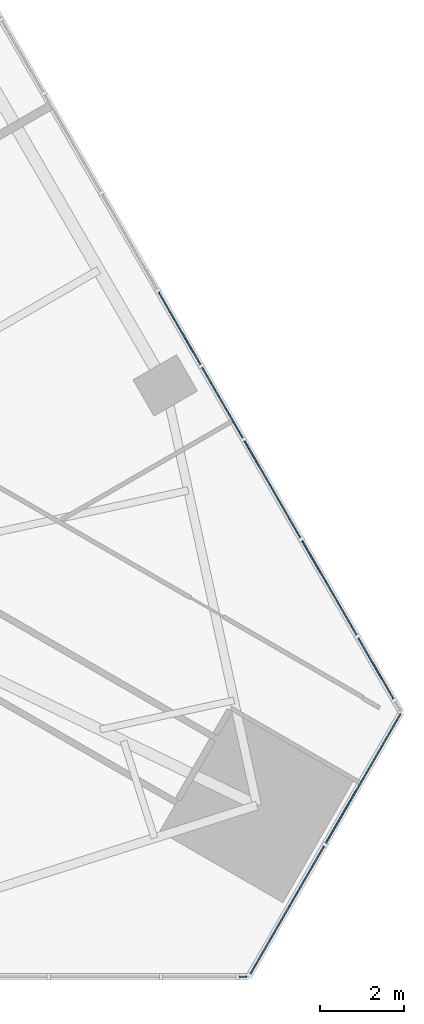
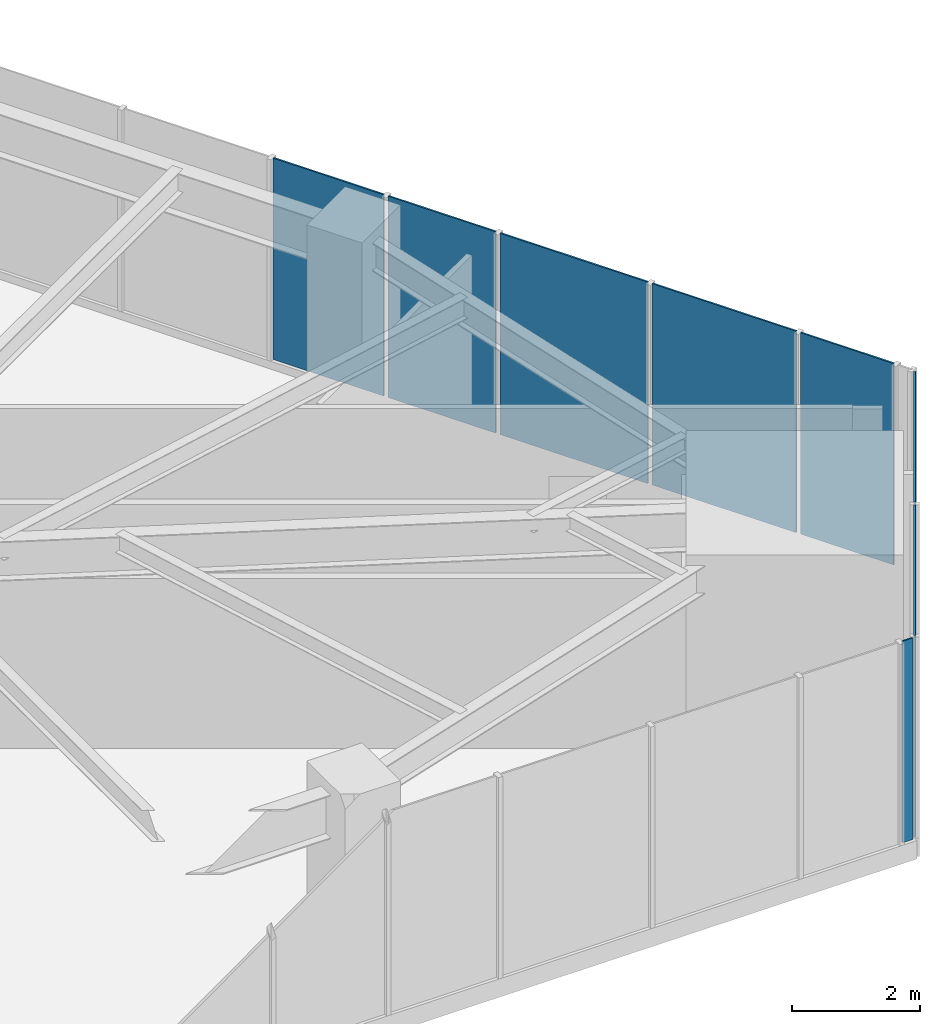
# One storey, part 15 of 26: 8 plates, 3 elements without a shape of their own.
"""IFC4 building model written with IfcOpenShell, lengths in metres."""

from ifc_helpers import new_model, si_unit, direction, frame, origin, place, context, subcontext, project, spatial, polyline, outline, extrude, material, layer, layer_set, type_object, element, aggregate, save


model = new_model("IFC4")

# Units and contexts
model_context = context("Model", 3, precision=1e-05, world=origin(), true_north=direction((0.0, 1.0)))
body_context = subcontext(model_context, "Body", "Model", "MODEL_VIEW")
ifc_project = project(units=[si_unit("LENGTHUNIT", "METRE"), si_unit("AREAUNIT", "SQUARE_METRE"), si_unit("VOLUMEUNIT", "CUBIC_METRE"), si_unit("PLANEANGLEUNIT", "RADIAN"), si_unit("MASSUNIT", "GRAM", prefix="KILO")], contexts=[model_context])

# Site, building, storey
site_placement = place(None, origin())
site = spatial("IfcSite", under=ifc_project, at=site_placement, CompositionType="ELEMENT")
building_placement = place(site_placement, origin())
building = spatial("IfcBuilding", under=site, at=building_placement, Name="Firuza Gate Tower and Library", CompositionType="ELEMENT")
storey_placement = place(building_placement, frame((0.0, 0.0, 65.199951171875)))
storey = spatial("IfcBuildingStorey", under=building, at=storey_placement, Name="L14", CompositionType="ELEMENT", Elevation=65.199951171875)

# Curtain wall, plates
ifc_material_1 = material(Name="Aluminium 6063-T6", Category="aluminium")
ifc_layer_1 = layer(ifc_material_1, 0.14990234375)
ifc_layer_set_1 = layer_set([ifc_layer_1], Name="Corner curtain wall, chamfers")
curtain_wall_type_1 = type_object("IfcCurtainWallType", Name="Corner curtain wall, chamfers", PredefinedType="NOTDEFINED", material=ifc_layer_set_1)
placement = place(storey_placement, origin())
curtain_wall_1 = element("IfcCurtainWall", 1, at=placement, inside=storey, type_object=curtain_wall_type_1, Name="CW4 L14 SE corner", PredefinedType="NOTDEFINED")
ifc_material_2 = material(Name="Fritted glass", Category="glass")
ifc_layer_2 = layer(ifc_material_2, 0.030029296875)
ifc_layer_set_2 = layer_set([ifc_layer_2], Name="Fritted glass unit, corners")
plate_type_1 = type_object("IfcPlateType", Name="Fritted glass unit, corners", PredefinedType="CURTAIN_PANEL", material=ifc_layer_set_2)
plate_1_placement = place(storey_placement, frame((103.6796875, 54.281005859375, 0.150146484375), z_axis=(0.866016723041, -0.500015035186, 0.0), x_axis=(0.500015035186, 0.866016723041, 0.0)))
plate_1 = element("IfcPlate", 2, at=plate_1_placement, type_object=plate_type_1, Name="Glass unit", PredefinedType="CURTAIN_PANEL", context=body_context, shape_type="SweptSolid", body=[
    extrude(outline(polyline([(0.0, 0.0), (3.5633694106530625, 0.0), (3.5633694106530625, 3.849853515625), (0.0, 3.849853515625), (0.0, 0.0)])), origin(), (0.0, 0.0, -1.0), 0.030029296875),
])
plate_2_placement = place(storey_placement, frame((105.501220703125, 57.436279296875, 0.150146484375), z_axis=(0.866016723041, -0.500015035186, 0.0), x_axis=(0.500015035186, 0.866016723041, 0.0)))
plate_2 = element("IfcPlate", 3, at=plate_2_placement, type_object=plate_type_1, Name="Glass unit", PredefinedType="CURTAIN_PANEL", context=body_context, shape_type="SweptSolid", body=[
    extrude(outline(polyline([(0.0, 0.0), (3.5633694106530625, 0.0), (3.5633694106530625, 3.849853515625), (0.0, 3.849853515625), (0.0, 0.0)])), origin(), (0.0, 0.0, -1.0), 0.030029296875),
])
aggregate(curtain_wall_1, [plate_1, plate_2])

ifc_material_3 = material(Name="Aluminium 6063-T6", Category="aluminium")
ifc_layer_3 = layer(ifc_material_3, 0.14990234375)
ifc_layer_set_3 = layer_set([ifc_layer_3], Name="Unitised curtain wall, offices")
curtain_wall_type_2 = type_object("IfcCurtainWallType", Name="Unitised curtain wall, offices", PredefinedType="NOTDEFINED", material=ifc_layer_set_3)
curtain_wall_2 = element("IfcCurtainWall", 4, at=placement, inside=storey, type_object=curtain_wall_type_2, Name="CW1 L14 E face", PredefinedType="NOTDEFINED")
ifc_material_4 = material(Name="Fritted glass", Category="glass")
ifc_layer_4 = layer(ifc_material_4, 0.030029296875)
ifc_layer_set_4 = layer_set([ifc_layer_4], Name="Fritted glass unit, offices")
plate_type_2 = type_object("IfcPlateType", Name="Fritted glass unit, offices", PredefinedType="CURTAIN_PANEL", material=ifc_layer_set_4)
plate_3_placement = place(storey_placement, frame((107.117431640625, 60.893310546875, 0.150146484375), z_axis=(0.865992196602, 0.500057512117, 0.0), x_axis=(-0.500057512117, 0.865992196602, 0.0)))
plate_3 = element("IfcPlate", 5, at=plate_3_placement, type_object=plate_type_2, Name="Glass unit", PredefinedType="CURTAIN_PANEL", context=body_context, shape_type="SweptSolid", body=[
    extrude(outline(polyline([(0.0, 0.0), (1.6819354429125748, 0.0), (1.6819354429125748, 3.849853515625), (0.0, 3.849853515625), (0.0, 0.0)])), origin(), (0.0, 0.0, -1.0), 0.030029296875),
])
plate_4_placement = place(storey_placement, frame((103.51904296875, 67.1259765625, 0.150146484375), z_axis=(0.865997036079, 0.500049131089, 0.0), x_axis=(-0.500049131089, 0.865997036079, 0.0)))
plate_4 = element("IfcPlate", 6, at=plate_4_placement, type_object=plate_type_2, Name="Glass unit", PredefinedType="CURTAIN_PANEL", context=body_context, shape_type="SweptSolid", body=[
    extrude(outline(polyline([(0.0, 0.0), (1.9407272686632608, 0.0), (1.9407272686632608, 3.849853515625001), (0.0, 3.849853515625001), (0.0, 0.0)])), origin(), (0.0, 0.0, -1.0), 0.030029296875),
])
plate_5_placement = place(storey_placement, frame((102.508544921875, 68.8759765625, 0.150146484375), z_axis=(0.866047269264, 0.499962125966, 0.0), x_axis=(-0.499962125966, 0.866047269264, 0.0)))
plate_5 = element("IfcPlate", 7, at=plate_5_placement, type_object=plate_type_2, Name="Glass unit", PredefinedType="CURTAIN_PANEL", context=body_context, shape_type="SweptSolid", body=[
    extrude(outline(polyline([(0.0, 0.0), (1.9986865528955802, 0.0), (1.9986865528955802, 3.849853515625), (0.0, 3.849853515625), (0.0, 0.0)])), origin(), (0.0, 0.0, -1.0), 0.030029296875),
])

# Curtain wall, plate
curtain_wall_3 = element("IfcCurtainWall", 8, at=placement, inside=storey, type_object=curtain_wall_type_2, Name="CW1 L14 S face", PredefinedType="NOTDEFINED")
ifc_material_5 = material(Name="Glazed ceramic tile")
ifc_layer_5 = layer(ifc_material_5, 0.030029296875)
ifc_layer_set_5 = layer_set([ifc_layer_5], Name="Opaque ceramic panel, offices")
plate_type_3 = type_object("IfcPlateType", Name="Opaque ceramic panel, offices", PredefinedType="CURTAIN_PANEL", material=ifc_layer_set_5)
plate_6_placement = place(storey_placement, frame((103.420654296875, 54.239013671875, 0.150146484375), z_axis=(0.0, -1.0, 0.0), x_axis=(1.0, 0.0, 0.0)))
plate_6 = element("IfcPlate", 9, at=plate_6_placement, type_object=plate_type_3, Name="Opaque ceramic panel", PredefinedType="CURTAIN_PANEL", context=body_context, shape_type="SweptSolid", body=[
    extrude(outline(polyline([(0.0, 0.0), (0.18603515625, 0.0), (0.18603515625, 3.849853515625), (0.0, 3.849853515625), (0.0, 0.0)])), origin(), (0.0, 0.0, -1.0), 0.030029296875),
])
aggregate(curtain_wall_3, [plate_6])

# Plate
plate_7_placement = place(storey_placement, frame((106.236572265625, 62.4189453125, 0.150146484375), z_axis=(0.866016800201, 0.500014901547, 0.0), x_axis=(-0.500014901547, 0.866016800201, 0.0)))
plate_7 = element("IfcPlate", 10, at=plate_7_placement, type_object=plate_type_3, Name="Opaque ceramic panel", PredefinedType="CURTAIN_PANEL", context=body_context, shape_type="SweptSolid", body=[
    extrude(outline(polyline([(0.0, 0.0), (2.601484967700258, 0.0), (2.601484967700258, 3.849853515625), (0.0, 3.849853515625), (0.0, 0.0)])), origin(), (0.0, 0.0, -1.0), 0.030029296875),
])

plate_8_placement = place(storey_placement, frame((104.895751953125, 64.7412109375, 0.150146484375), z_axis=(0.86600919026, 0.500028081597, 0.0), x_axis=(-0.500028081597, 0.86600919026, 0.0)))
plate_8 = element("IfcPlate", 11, at=plate_8_placement, type_object=plate_type_3, Name="Opaque ceramic panel", PredefinedType="CURTAIN_PANEL", context=body_context, shape_type="SweptSolid", body=[
    extrude(outline(polyline([(0.0, 0.0), (2.67367796270729, 0.0), (2.67367796270729, 3.849853515625), (0.0, 3.849853515625), (0.0, 0.0)])), origin(), (0.0, 0.0, -1.0), 0.030029296875),
])

aggregate(curtain_wall_2, [plate_3, plate_7, plate_8, plate_4, plate_5])

save(model, "model.ifc")
